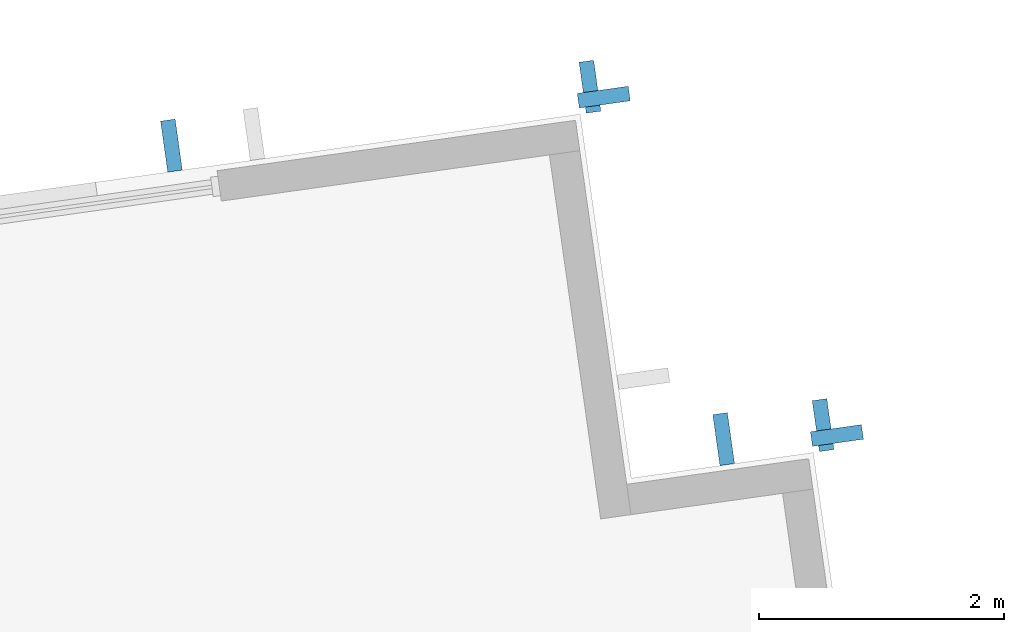
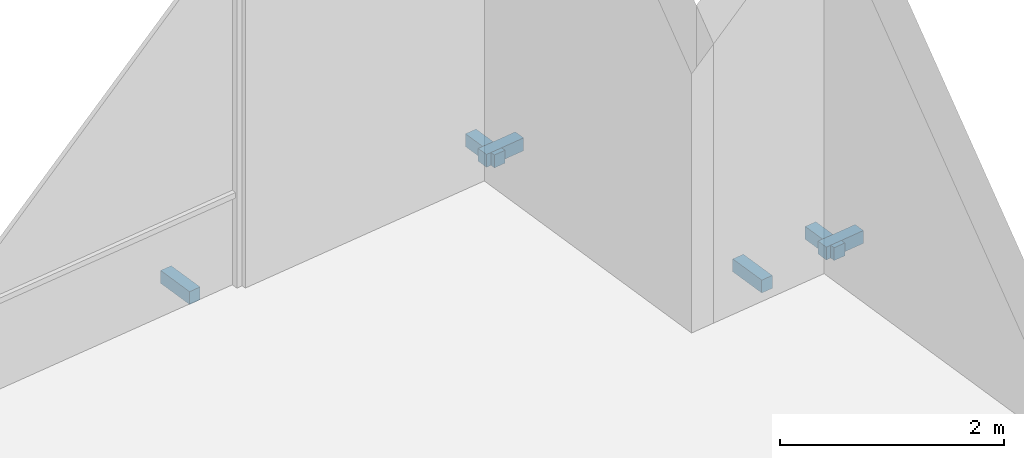
# One storey, part 13 of 14: 6 discrete accessories.
"""IFC4 building model written with IfcOpenShell, lengths in metres."""

from ifc_helpers import new_model, si_unit, direction, frame, origin, origin_2d, place, context, subcontext, project, spatial, rectangle, extrude, element, save


model = new_model("IFC4")

# Units and contexts
model_context = context("Model", 3, precision=1e-05, world=origin(), true_north=direction((0.0, 1.0)))
body_context = subcontext(model_context, "Body", "Model", "MODEL_VIEW")
ifc_project = project(units=[si_unit("LENGTHUNIT", "METRE"), si_unit("AREAUNIT", "SQUARE_METRE"), si_unit("VOLUMEUNIT", "CUBIC_METRE"), si_unit("PLANEANGLEUNIT", "RADIAN"), si_unit("MASSUNIT", "GRAM", prefix="KILO")], contexts=[model_context])

# Site, building, storey
site_placement = place(None, origin())
site = spatial("IfcSite", under=ifc_project, at=site_placement, CompositionType="ELEMENT")
building_placement = place(site_placement, origin())
building = spatial("IfcBuilding", under=site, at=building_placement, Name="Rattan Terrace Tower", CompositionType="ELEMENT")
storey_placement = place(building_placement, frame((0.0, 0.0, 195.800048828125)))
storey = spatial("IfcBuildingStorey", under=building, at=storey_placement, Name="L45", CompositionType="ELEMENT", Elevation=195.800048828125)

# Discrete accessories
for number, where, z_axis, x_axis, name in (
    (1, (23.53857421875, 16.83935546875, -0.169921875), (0.0, 0.0, 1.0), (-0.139321220646, 0.990247240581, 0.0), "Panel bracket L45-19"),
    (2, (23.42578125, 16.92431640625, -0.169921875), (0.0, 0.0, 1.0), (-0.990240767803, -0.139367219175, 0.0), "Panel bracket L45-20"),
    (3, (22.614013671875, 16.81005859375, -0.169921875), (0.0, 0.0, 1.0), (-0.990240767803, -0.139367219175, 0.0), "Panel bracket L45-21"),
    (4, (21.635498046875, 19.601318359375, -0.169921875), (0.0, 0.0, 1.0), (-0.139321220646, 0.990247240581, 0.0), "Panel bracket L45-23"),
    (5, (21.522705078125, 19.686279296875, -0.169921875), (0.0, 0.0, 1.0), (-0.990240767803, -0.139367219175, 0.0), "Panel bracket L45-24"),
    (6, (18.10693359375, 19.20556640625, -0.169921875), (0.0, 0.0, 1.0), (-0.990269702686, -0.139161474347, 0.0), "Panel bracket L45-26"),
):
    element("IfcDiscreteAccessory", number, at=place(storey_placement, frame(where, z_axis=z_axis, x_axis=x_axis)), inside=storey, Name=name, PredefinedType="BRACKET", context=body_context, shape_type="SweptSolid", body=[
        extrude(rectangle(XDim=0.1201171875, YDim=0.419921875, at=origin_2d()), origin(), (0.0, 0.0, 1.0), 0.139892578125),
    ])

save(model, "model.ifc")
